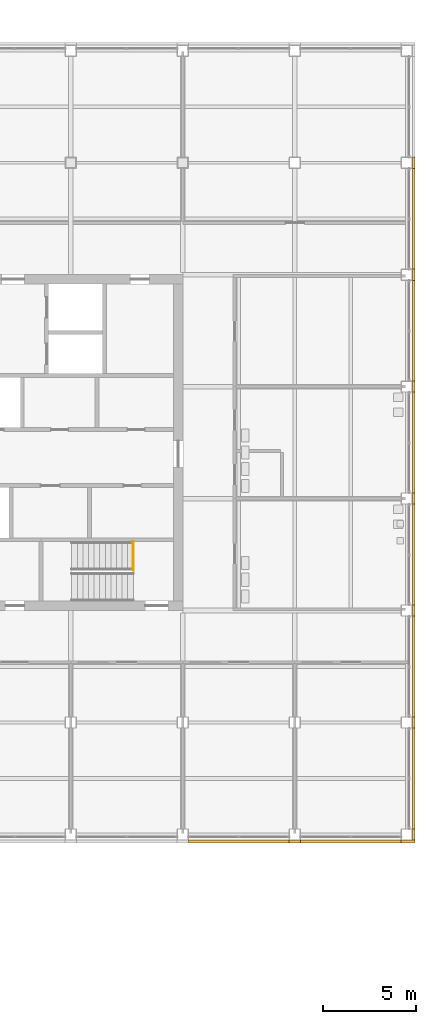
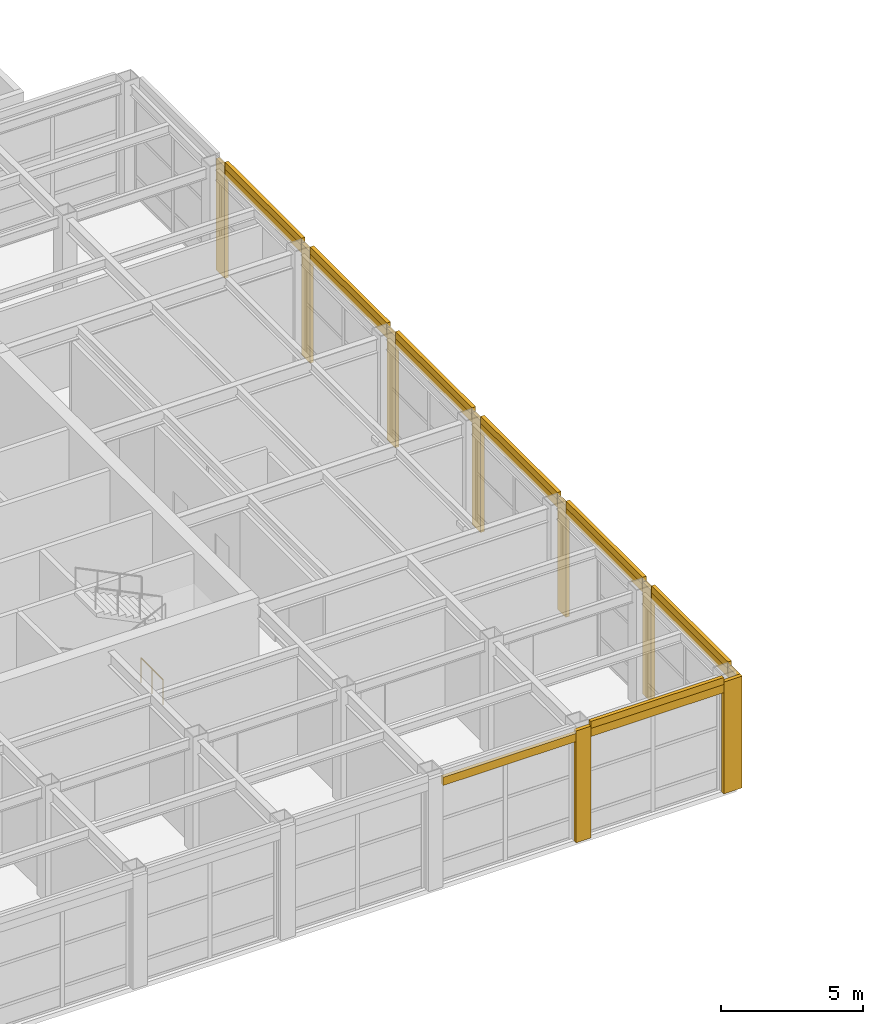
# One storey, part 61 of 67: 24 coverings, 1 railing.
"""IFC4 building model written with IfcOpenShell, lengths in metres."""

from ifc_helpers import new_model, si_unit, direction, frame, origin, origin_2d, place, context, subcontext, project, spatial, polyline, circle, outline, extrude, material, layer, layer_set, type_object, element, save


model = new_model("IFC4")

# Units and contexts
model_context = context("Model", 3, precision=1e-05, world=origin(), true_north=direction((0.0, 1.0)))
body_context = subcontext(model_context, "Body", "Model", "MODEL_VIEW")
ifc_project = project(units=[si_unit("LENGTHUNIT", "METRE"), si_unit("AREAUNIT", "SQUARE_METRE"), si_unit("VOLUMEUNIT", "CUBIC_METRE"), si_unit("PLANEANGLEUNIT", "RADIAN"), si_unit("MASSUNIT", "GRAM", prefix="KILO")], contexts=[model_context])

# Site, building, storey
site_placement = place(None, origin())
site = spatial("IfcSite", under=ifc_project, at=site_placement, CompositionType="ELEMENT")
building_placement = place(site_placement, origin())
building = spatial("IfcBuilding", under=site, at=building_placement, Name="Aravalli Gate Trade Fair Centre", CompositionType="ELEMENT")
storey_placement = place(building_placement, frame((0.0, 0.0, 5.0)))
storey = spatial("IfcBuildingStorey", under=building, at=storey_placement, Name="L01", CompositionType="ELEMENT", Elevation=5.0)

# Coverings
ifc_material_1 = material(Name="Dholpur sandstone", Category="masonry")
ifc_layer_1 = layer(ifc_material_1, 0.14990234375)
ifc_layer_set_1 = layer_set([ifc_layer_1], Name="Dholpur sandstone")
covering_type_1 = type_object("IfcCoveringType", Name="Wing sandstone pier casing 150", PredefinedType="CLADDING", material=ifc_layer_set_1)
covering_1_placement = place(storey_placement, origin())
element("IfcCovering", 1, at=covering_1_placement, inside=storey, type_object=covering_type_1, Name="Pier casing 24F S L01", PredefinedType="CLADDING", context=body_context, shape_type="SweptSolid", body=[
    extrude(outline(polyline([(195.699951171875, 90.550048828125), (196.300048828125, 90.550048828125), (196.300048828125, 90.699951171875), (195.699951171875, 90.699951171875), (195.699951171875, 90.550048828125)])), origin(), (0.0, 0.0, 1.0), 4.800048828125),
])
covering_2_placement = place(storey_placement, origin())
element("IfcCovering", 2, at=covering_2_placement, inside=storey, type_object=covering_type_1, Name="Pier casing 25F S L01", PredefinedType="CLADDING", context=body_context, shape_type="SweptSolid", body=[
    extrude(outline(polyline([(201.699951171875, 90.550048828125), (202.449951171875, 90.550048828125), (202.449951171875, 90.699951171875), (201.699951171875, 90.699951171875), (201.699951171875, 90.550048828125)])), origin(), (0.0, 0.0, 1.0), 4.800048828125),
])
covering_3_placement = place(storey_placement, origin())
element("IfcCovering", 3, at=covering_3_placement, inside=storey, type_object=covering_type_1, Name="Pier casing 25F E L01", PredefinedType="CLADDING", context=body_context, shape_type="SweptSolid", body=[
    extrude(outline(polyline([(202.300048828125, 90.699951171875), (202.449951171875, 90.699951171875), (202.449951171875, 91.300048828125), (202.300048828125, 91.300048828125), (202.300048828125, 90.699951171875)])), origin(), (0.0, 0.0, 1.0), 4.800048828125),
])
covering_4_placement = place(storey_placement, origin())
element("IfcCovering", 4, at=covering_4_placement, inside=storey, type_object=covering_type_1, Name="Pier casing 25T1 E L01", PredefinedType="CLADDING", context=body_context, shape_type="SweptSolid", body=[
    extrude(outline(polyline([(202.300048828125, 96.699951171875), (202.449951171875, 96.699951171875), (202.449951171875, 97.300048828125), (202.300048828125, 97.300048828125), (202.300048828125, 96.699951171875)])), origin(), (0.0, 0.0, 1.0), 4.800048828125),
])
covering_5_placement = place(storey_placement, origin())
element("IfcCovering", 5, at=covering_5_placement, inside=storey, type_object=covering_type_1, Name="Pier casing 25T2 E L01", PredefinedType="CLADDING", context=body_context, shape_type="SweptSolid", body=[
    extrude(outline(polyline([(202.300048828125, 102.699951171875), (202.449951171875, 102.699951171875), (202.449951171875, 103.300048828125), (202.300048828125, 103.300048828125), (202.300048828125, 102.699951171875)])), origin(), (0.0, 0.0, 1.0), 4.800048828125),
])
covering_6_placement = place(storey_placement, origin())
element("IfcCovering", 6, at=covering_6_placement, inside=storey, type_object=covering_type_1, Name="Pier casing 25H E L01", PredefinedType="CLADDING", context=body_context, shape_type="SweptSolid", body=[
    extrude(outline(polyline([(202.300048828125, 108.699951171875), (202.449951171875, 108.699951171875), (202.449951171875, 109.300048828125), (202.300048828125, 109.300048828125), (202.300048828125, 108.699951171875)])), origin(), (0.0, 0.0, 1.0), 4.800048828125),
])
covering_7_placement = place(storey_placement, origin())
element("IfcCovering", 7, at=covering_7_placement, inside=storey, type_object=covering_type_1, Name="Pier casing 25T3 E L01", PredefinedType="CLADDING", context=body_context, shape_type="SweptSolid", body=[
    extrude(outline(polyline([(202.300048828125, 114.699951171875), (202.449951171875, 114.699951171875), (202.449951171875, 115.300048828125), (202.300048828125, 115.300048828125), (202.300048828125, 114.699951171875)])), origin(), (0.0, 0.0, 1.0), 4.800048828125),
])
covering_8_placement = place(storey_placement, origin())
element("IfcCovering", 8, at=covering_8_placement, inside=storey, type_object=covering_type_1, Name="Pier casing 25J E L01", PredefinedType="CLADDING", context=body_context, shape_type="SweptSolid", body=[
    extrude(outline(polyline([(202.300048828125, 120.699951171875), (202.449951171875, 120.699951171875), (202.449951171875, 121.300048828125), (202.300048828125, 121.300048828125), (202.300048828125, 120.699951171875)])), origin(), (0.0, 0.0, 1.0), 4.800048828125),
])
covering_9_placement = place(storey_placement, origin())
element("IfcCovering", 9, at=covering_9_placement, inside=storey, type_object=covering_type_1, Name="Pier casing 25T4 E L01", PredefinedType="CLADDING", context=body_context, shape_type="SweptSolid", body=[
    extrude(outline(polyline([(202.300048828125, 126.699951171875), (202.449951171875, 126.699951171875), (202.449951171875, 127.300048828125), (202.300048828125, 127.300048828125), (202.300048828125, 126.699951171875)])), origin(), (0.0, 0.0, 1.0), 4.800048828125),
])
ifc_material_2 = material(Name="Glazed terracotta", Category="masonry")
ifc_layer_2 = layer(ifc_material_2, 0.14501953125)
ifc_layer_set_2 = layer_set([ifc_layer_2], Name="Glazed terracotta")
covering_type_2 = type_object("IfcCoveringType", Name="Wing spandrel band 145", PredefinedType="CLADDING", material=ifc_layer_set_2)
covering_10_placement = place(storey_placement, frame((0.0, 0.0, 4.35009765625)))
element("IfcCovering", 10, at=covering_10_placement, inside=storey, type_object=covering_type_2, Name="Spandrel band S5 L01", PredefinedType="CLADDING", context=body_context, shape_type="SweptSolid", body=[
    extrude(outline(polyline([(190.300048828125, 90.550048828125), (195.699951171875, 90.550048828125), (195.699951171875, 90.695068359375), (190.300048828125, 90.695068359375), (190.300048828125, 90.550048828125)])), origin(), (0.0, 0.0, 1.0), 0.349853515625),
])
covering_11_placement = place(storey_placement, frame((0.0, 0.0, 4.35009765625)))
element("IfcCovering", 11, at=covering_11_placement, inside=storey, type_object=covering_type_2, Name="Spandrel band S6 L01", PredefinedType="CLADDING", context=body_context, shape_type="SweptSolid", body=[
    extrude(outline(polyline([(196.300048828125, 90.550048828125), (201.699951171875, 90.550048828125), (201.699951171875, 90.695068359375), (196.300048828125, 90.695068359375), (196.300048828125, 90.550048828125)])), origin(), (0.0, 0.0, 1.0), 0.349853515625),
])
covering_12_placement = place(storey_placement, frame((0.0, 0.0, 4.35009765625)))
element("IfcCovering", 12, at=covering_12_placement, inside=storey, type_object=covering_type_2, Name="Spandrel band E0 L01", PredefinedType="CLADDING", context=body_context, shape_type="SweptSolid", body=[
    extrude(outline(polyline([(202.304931640625, 91.300048828125), (202.449951171875, 91.300048828125), (202.449951171875, 96.699951171875), (202.304931640625, 96.699951171875), (202.304931640625, 91.300048828125)])), origin(), (0.0, 0.0, 1.0), 0.349853515625),
])
covering_13_placement = place(storey_placement, frame((0.0, 0.0, 4.35009765625)))
element("IfcCovering", 13, at=covering_13_placement, inside=storey, type_object=covering_type_2, Name="Spandrel band E1 L01", PredefinedType="CLADDING", context=body_context, shape_type="SweptSolid", body=[
    extrude(outline(polyline([(202.304931640625, 97.300048828125), (202.449951171875, 97.300048828125), (202.449951171875, 102.699951171875), (202.304931640625, 102.699951171875), (202.304931640625, 97.300048828125)])), origin(), (0.0, 0.0, 1.0), 0.349853515625),
])
covering_14_placement = place(storey_placement, frame((0.0, 0.0, 4.35009765625)))
element("IfcCovering", 14, at=covering_14_placement, inside=storey, type_object=covering_type_2, Name="Spandrel band E2 L01", PredefinedType="CLADDING", context=body_context, shape_type="SweptSolid", body=[
    extrude(outline(polyline([(202.304931640625, 103.300048828125), (202.449951171875, 103.300048828125), (202.449951171875, 108.699951171875), (202.304931640625, 108.699951171875), (202.304931640625, 103.300048828125)])), origin(), (0.0, 0.0, 1.0), 0.349853515625),
])
covering_15_placement = place(storey_placement, frame((0.0, 0.0, 4.35009765625)))
element("IfcCovering", 15, at=covering_15_placement, inside=storey, type_object=covering_type_2, Name="Spandrel band E3 L01", PredefinedType="CLADDING", context=body_context, shape_type="SweptSolid", body=[
    extrude(outline(polyline([(202.304931640625, 109.300048828125), (202.449951171875, 109.300048828125), (202.449951171875, 114.699951171875), (202.304931640625, 114.699951171875), (202.304931640625, 109.300048828125)])), origin(), (0.0, 0.0, 1.0), 0.349853515625),
])
covering_16_placement = place(storey_placement, frame((0.0, 0.0, 4.35009765625)))
element("IfcCovering", 16, at=covering_16_placement, inside=storey, type_object=covering_type_2, Name="Spandrel band E4 L01", PredefinedType="CLADDING", context=body_context, shape_type="SweptSolid", body=[
    extrude(outline(polyline([(202.304931640625, 115.300048828125), (202.449951171875, 115.300048828125), (202.449951171875, 120.699951171875), (202.304931640625, 120.699951171875), (202.304931640625, 115.300048828125)])), origin(), (0.0, 0.0, 1.0), 0.349853515625),
])
covering_17_placement = place(storey_placement, frame((0.0, 0.0, 4.35009765625)))
element("IfcCovering", 17, at=covering_17_placement, inside=storey, type_object=covering_type_2, Name="Spandrel band E5 L01", PredefinedType="CLADDING", context=body_context, shape_type="SweptSolid", body=[
    extrude(outline(polyline([(202.304931640625, 121.300048828125), (202.449951171875, 121.300048828125), (202.449951171875, 126.699951171875), (202.304931640625, 126.699951171875), (202.304931640625, 121.300048828125)])), origin(), (0.0, 0.0, 1.0), 0.349853515625),
])

# Railing
ifc_material_3 = material(Name="Steel E350", Category="steel")
railing_type = type_object("IfcRailingType", Name="Wing stair roof guard", PredefinedType="GUARDRAIL", material=ifc_material_3)
railing_placement = place(storey_placement, frame((187.35009765625, 105.159912109375, 0.0)))
element("IfcRailing", 18, at=railing_placement, inside=storey, type_object=railing_type, Name="Guard S1 landing L01", PredefinedType="GUARDRAIL", context=body_context, shape_type="SweptSolid", body=[
    extrude(circle(Radius=0.02392578125, at=origin_2d()), frame((0.0, 0.0, 1.076171875), z_axis=(0.0, 1.0, 0.0), x_axis=(-1.0, 0.0, 0.0)), (0.0, 0.0, 1.0), 1.5400390625),
    extrude(circle(Radius=0.02099609375, at=origin_2d()), origin(), (0.0, 0.0, 1.0), 1.052001953125),
    extrude(circle(Radius=0.02099609375, at=origin_2d()), frame((0.0, 0.77001953125, 0.0)), (0.0, 0.0, 1.0), 1.052001953125),
    extrude(circle(Radius=0.02099609375, at=origin_2d()), frame((0.0, 1.5400390625, 0.0)), (0.0, 0.0, 1.0), 1.052001953125),
])

# Coverings
ifc_layer_3 = layer(ifc_material_1, 0.14501953125)
ifc_layer_set_3 = layer_set([ifc_layer_3], Name="Dholpur sandstone")
covering_type_3 = type_object("IfcCoveringType", Name="Wing stone spandrel band 145", PredefinedType="CLADDING", material=ifc_layer_set_3)
covering_18_placement = place(storey_placement, frame((0.0, 0.0, 4.699951171875)))
element("IfcCovering", 19, at=covering_18_placement, inside=storey, type_object=covering_type_3, Name="Stone spandrel band S6 L01", PredefinedType="CLADDING", context=body_context, shape_type="SweptSolid", body=[
    extrude(outline(polyline([(196.300048828125, 90.550048828125), (201.699951171875, 90.550048828125), (201.699951171875, 90.695068359375), (196.300048828125, 90.695068359375), (196.300048828125, 90.550048828125)])), origin(), (0.0, 0.0, 1.0), 0.300048828125),
])
covering_19_placement = place(storey_placement, frame((0.0, 0.0, 4.699951171875)))
element("IfcCovering", 20, at=covering_19_placement, inside=storey, type_object=covering_type_3, Name="Stone spandrel band E0 L01", PredefinedType="CLADDING", context=body_context, shape_type="SweptSolid", body=[
    extrude(outline(polyline([(202.304931640625, 91.300048828125), (202.449951171875, 91.300048828125), (202.449951171875, 96.699951171875), (202.304931640625, 96.699951171875), (202.304931640625, 91.300048828125)])), origin(), (0.0, 0.0, 1.0), 0.300048828125),
])
covering_20_placement = place(storey_placement, frame((0.0, 0.0, 4.699951171875)))
element("IfcCovering", 21, at=covering_20_placement, inside=storey, type_object=covering_type_3, Name="Stone spandrel band E1 L01", PredefinedType="CLADDING", context=body_context, shape_type="SweptSolid", body=[
    extrude(outline(polyline([(202.304931640625, 97.300048828125), (202.449951171875, 97.300048828125), (202.449951171875, 102.699951171875), (202.304931640625, 102.699951171875), (202.304931640625, 97.300048828125)])), origin(), (0.0, 0.0, 1.0), 0.300048828125),
])
covering_21_placement = place(storey_placement, frame((0.0, 0.0, 4.699951171875)))
element("IfcCovering", 22, at=covering_21_placement, inside=storey, type_object=covering_type_3, Name="Stone spandrel band E2 L01", PredefinedType="CLADDING", context=body_context, shape_type="SweptSolid", body=[
    extrude(outline(polyline([(202.304931640625, 103.300048828125), (202.449951171875, 103.300048828125), (202.449951171875, 108.699951171875), (202.304931640625, 108.699951171875), (202.304931640625, 103.300048828125)])), origin(), (0.0, 0.0, 1.0), 0.300048828125),
])
covering_22_placement = place(storey_placement, frame((0.0, 0.0, 4.699951171875)))
element("IfcCovering", 23, at=covering_22_placement, inside=storey, type_object=covering_type_3, Name="Stone spandrel band E3 L01", PredefinedType="CLADDING", context=body_context, shape_type="SweptSolid", body=[
    extrude(outline(polyline([(202.304931640625, 109.300048828125), (202.449951171875, 109.300048828125), (202.449951171875, 114.699951171875), (202.304931640625, 114.699951171875), (202.304931640625, 109.300048828125)])), origin(), (0.0, 0.0, 1.0), 0.300048828125),
])
covering_23_placement = place(storey_placement, frame((0.0, 0.0, 4.699951171875)))
element("IfcCovering", 24, at=covering_23_placement, inside=storey, type_object=covering_type_3, Name="Stone spandrel band E4 L01", PredefinedType="CLADDING", context=body_context, shape_type="SweptSolid", body=[
    extrude(outline(polyline([(202.304931640625, 115.300048828125), (202.449951171875, 115.300048828125), (202.449951171875, 120.699951171875), (202.304931640625, 120.699951171875), (202.304931640625, 115.300048828125)])), origin(), (0.0, 0.0, 1.0), 0.300048828125),
])
covering_24_placement = place(storey_placement, frame((0.0, 0.0, 4.699951171875)))
element("IfcCovering", 25, at=covering_24_placement, inside=storey, type_object=covering_type_3, Name="Stone spandrel band E5 L01", PredefinedType="CLADDING", context=body_context, shape_type="SweptSolid", body=[
    extrude(outline(polyline([(202.304931640625, 121.300048828125), (202.449951171875, 121.300048828125), (202.449951171875, 126.699951171875), (202.304931640625, 126.699951171875), (202.304931640625, 121.300048828125)])), origin(), (0.0, 0.0, 1.0), 0.300048828125),
])

save(model, "model.ifc")
